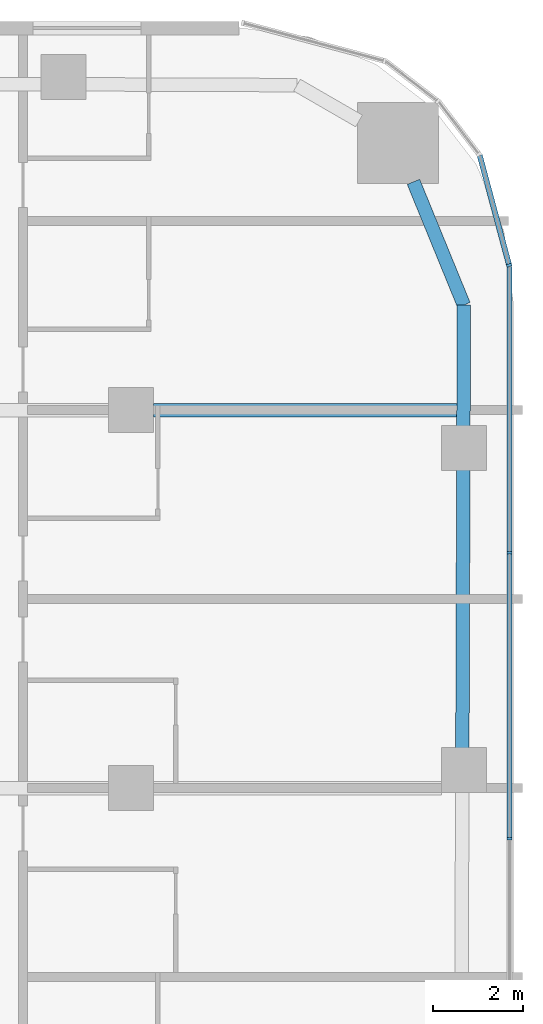
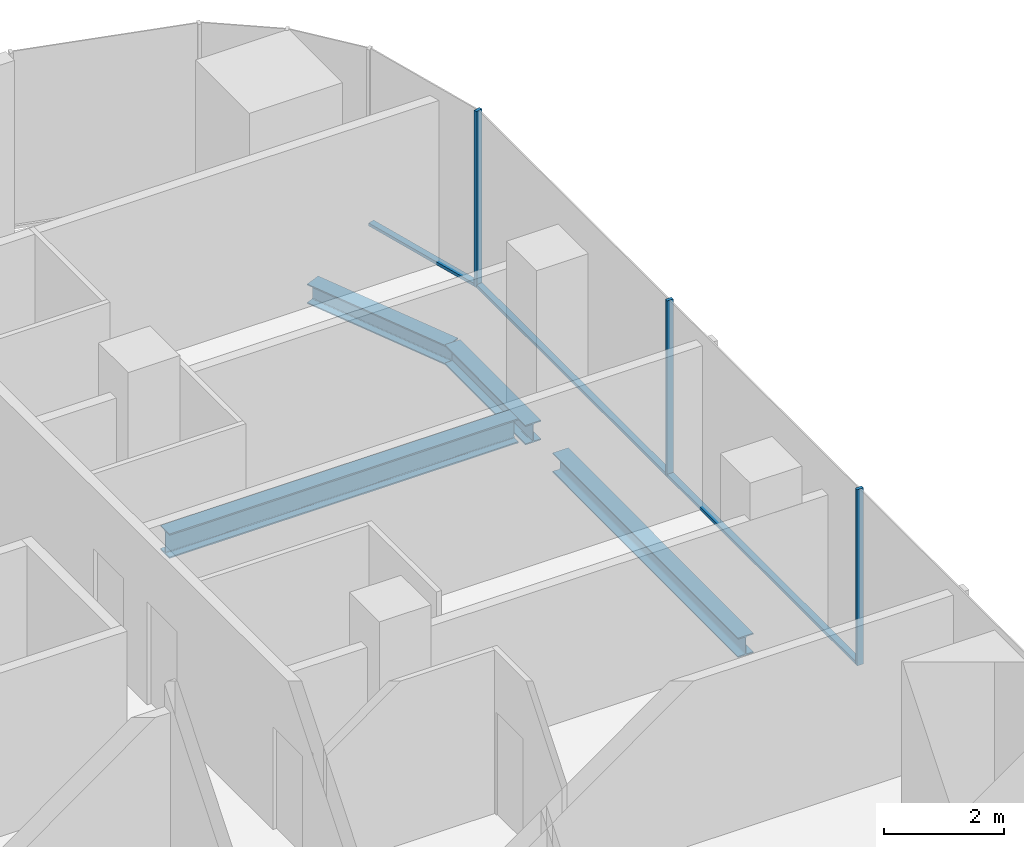
# One storey, part 12 of 26: 6 members, 4 beams, 2 elements without a shape of their own.
"""IFC4 building model written with IfcOpenShell, lengths in metres."""

from ifc_helpers import new_model, si_unit, direction, frame, origin, origin_2d, place, context, subcontext, project, spatial, rectangle, i_section, extrude, material, layer, layer_set, material_profile, profile_set, type_object, element, aggregate, save


model = new_model("IFC4")

# Units and contexts
model_context = context("Model", 3, precision=1e-05, world=origin(), true_north=direction((0.0, 1.0)))
body_context = subcontext(model_context, "Body", "Model", "MODEL_VIEW")
ifc_project = project(units=[si_unit("LENGTHUNIT", "METRE"), si_unit("AREAUNIT", "SQUARE_METRE"), si_unit("VOLUMEUNIT", "CUBIC_METRE"), si_unit("PLANEANGLEUNIT", "RADIAN"), si_unit("MASSUNIT", "GRAM", prefix="KILO")], contexts=[model_context])

# Site, building, storey
site_placement = place(None, origin())
site = spatial("IfcSite", under=ifc_project, at=site_placement, CompositionType="ELEMENT")
building_placement = place(site_placement, origin())
building = spatial("IfcBuilding", under=site, at=building_placement, Name="Marenta Gate Hotel Tower", CompositionType="ELEMENT")
storey_placement = place(building_placement, frame((0.0, 0.0, 79.699951171875)))
storey = spatial("IfcBuildingStorey", under=building, at=storey_placement, Name="L18", CompositionType="ELEMENT", Elevation=79.699951171875)

# Beams
ifc_material_1 = material(Name="Steel S355", Category="steel")
ifc_material_profile_1 = material_profile(ifc_material_1, i_section(OverallWidth=0.300048828125, OverallDepth=0.39990234375, WebThickness=0.013427734375, FlangeThickness=0.02392578125, FilletRadius=0.027099609375, at=origin_2d()), Name="HEB 400")
ifc_profile_set_1 = profile_set([ifc_material_profile_1], Name="Steel S355")
beam_type_1 = type_object("IfcBeamType", Name="Edge beam HEB 400", PredefinedType="SPANDREL", material=ifc_profile_set_1)
beam_1_placement = place(storey_placement, frame((27.280029296875, 30.2724609375, -0.4599609375), z_axis=(0.378565359962, -0.925574561144, 0.0), x_axis=(0.925574561144, 0.378565359962, 0.0)))
element("IfcBeam", 1, at=beam_1_placement, inside=storey, type_object=beam_type_1, Name="L18-EB-21", PredefinedType="SPANDREL", context=body_context, shape_type="SweptSolid", body=[
    extrude(i_section(OverallWidth=0.300048828125, OverallDepth=0.39990234375, WebThickness=0.013427734375, FlangeThickness=0.02392578125, FilletRadius=0.027099609375, at=origin_2d()), origin(), (0.0, 0.0, 1.0), 2.958251953125),
])
beam_2_placement = place(storey_placement, frame((28.39990234375, 27.534423828125, -0.4599609375), z_axis=(-0.003323434444, -0.999994477376, 0.0), x_axis=(0.999994477376, -0.003323434444, 0.0)))
element("IfcBeam", 2, at=beam_2_placement, inside=storey, type_object=beam_type_1, Name="L18-EB-22", PredefinedType="SPANDREL", context=body_context, shape_type="SweptSolid", body=[
    extrude(i_section(OverallWidth=0.300048828125, OverallDepth=0.39990234375, WebThickness=0.013427734375, FlangeThickness=0.02392578125, FilletRadius=0.027099609375, at=origin_2d()), origin(), (0.0, 0.0, 1.0), 2.718017578125),
])
beam_3_placement = place(storey_placement, frame((28.387939453125, 23.896484375, -0.4599609375), z_axis=(-0.003329137121, -0.999994458408, 0.0), x_axis=(0.999994458408, -0.003329137121, 0.0)))
element("IfcBeam", 3, at=beam_3_placement, inside=storey, type_object=beam_type_1, Name="L18-EB-23", PredefinedType="SPANDREL", context=body_context, shape_type="SweptSolid", body=[
    extrude(i_section(OverallWidth=0.300048828125, OverallDepth=0.39990234375, WebThickness=0.013427734375, FlangeThickness=0.02392578125, FilletRadius=0.027099609375, at=origin_2d()), origin(), (0.0, 0.0, 1.0), 6.2333984375),
])
ifc_material_2 = material(Name="Steel S355", Category="steel")
ifc_material_profile_2 = material_profile(ifc_material_2, i_section(OverallWidth=0.300048828125, OverallDepth=0.5, WebThickness=0.014404296875, FlangeThickness=0.028076171875, FilletRadius=0.027099609375, at=origin_2d()), Name="HEB 500")
ifc_profile_set_2 = profile_set([ifc_material_profile_2], Name="Steel S355")
beam_type_2 = type_object("IfcBeamType", Name="Girder HEB 500", PredefinedType="BEAM", material=ifc_profile_set_2)
beam_4_placement = place(storey_placement, frame((21.5, 25.199951171875, -0.510009765625), z_axis=(1.0, 0.0, 0.0), x_axis=(0.0, 1.0, 0.0)))
element("IfcBeam", 4, at=beam_4_placement, inside=storey, type_object=beam_type_2, Name="L18-GD-28", PredefinedType="BEAM", context=body_context, shape_type="SweptSolid", body=[
    extrude(i_section(OverallWidth=0.300048828125, OverallDepth=0.5, WebThickness=0.014404296875, FlangeThickness=0.028076171875, FilletRadius=0.027099609375, at=origin_2d()), origin(), (0.0, 0.0, 1.0), 6.7421875),
])

# Curtain wall, members
ifc_material_3 = material(Name="Tinted insulated glass in bronze anodised frame", Category="glass")
ifc_layer = layer(ifc_material_3, 0.1201171875)
ifc_layer_set = layer_set([ifc_layer], Name="Tinted insulated glass in bronze anodised frame")
curtain_wall_type = type_object("IfcCurtainWallType", Name="Tower unitised curtain wall CW1", PredefinedType="NOTDEFINED", material=ifc_layer_set)
curtain_wall_1_placement = place(storey_placement, origin())
curtain_wall_1 = element("IfcCurtainWall", 5, at=curtain_wall_1_placement, inside=storey, type_object=curtain_wall_type, Name="CW1 run G11", PredefinedType="NOTDEFINED")
ifc_material_4 = material(Name="Bronze anodised aluminium", Category="aluminium")
ifc_material_profile_3 = material_profile(ifc_material_4, rectangle(XDim=0.1201171875, YDim=0.06005859375, at=origin_2d()), Name="Mullion CW1 60x120 bronze anodised aluminium")
ifc_profile_set_3 = profile_set([ifc_material_profile_3], Name="Bronze anodised aluminium")
member_type_1 = type_object("IfcMemberType", Name="Mullion CW1 60x120 bronze anodised aluminium", PredefinedType="MULLION", material=ifc_profile_set_3)
member_1_placement = place(storey_placement, frame((29.4140625, 15.671875, 0.0), z_axis=(0.0, 0.0, 1.0), x_axis=(-1.0, 0.0, 0.0)))
member_1 = element("IfcMember", 6, at=member_1_placement, type_object=member_type_1, Name="CW1 mullion 5", PredefinedType="MULLION", context=body_context, shape_type="SweptSolid", body=[
    extrude(rectangle(XDim=0.1201171875, YDim=0.06005859375, at=origin_2d()), origin(), (0.0, 0.0, 1.0), 3.60009765625),
])
member_2_placement = place(storey_placement, frame((29.4140625, 22.031982421875, 0.0), z_axis=(0.0, 0.0, 1.0), x_axis=(-1.0, 0.0, 0.0)))
member_2 = element("IfcMember", 7, at=member_2_placement, type_object=member_type_1, Name="CW1 mullion 6", PredefinedType="MULLION", context=body_context, shape_type="SweptSolid", body=[
    extrude(rectangle(XDim=0.1201171875, YDim=0.06005859375, at=origin_2d()), origin(), (0.0, 0.0, 1.0), 3.60009765625),
])

# Curtain wall, member
curtain_wall_2_placement = place(storey_placement, origin())
curtain_wall_2 = element("IfcCurtainWall", 8, at=curtain_wall_2_placement, inside=storey, type_object=curtain_wall_type, Name="CW1 run G12", PredefinedType="NOTDEFINED")
member_3_placement = place(storey_placement, frame((29.40625, 28.4208984375, 0.0), z_axis=(0.0, 0.0, 1.0), x_axis=(-0.965925039579, -0.258821981125, 0.0)))
member_3 = element("IfcMember", 9, at=member_3_placement, type_object=member_type_1, Name="CW1 mullion 1", PredefinedType="MULLION", context=body_context, shape_type="SweptSolid", body=[
    extrude(rectangle(XDim=0.1201171875, YDim=0.06005859375, at=origin_2d()), origin(), (0.0, 0.0, 1.0), 3.60009765625),
])

# Member
ifc_material_5 = material(Name="Bronze anodised aluminium", Category="aluminium")
ifc_material_profile_4 = material_profile(ifc_material_5, rectangle(XDim=0.1201171875, YDim=0.06005859375, at=origin_2d()), Name="Transom CW1 60x120 bronze anodised aluminium")
ifc_profile_set_4 = profile_set([ifc_material_profile_4], Name="Bronze anodised aluminium")
member_type_2 = type_object("IfcMemberType", Name="Transom CW1 60x120 bronze anodised aluminium", PredefinedType="USERDEFINED", material=ifc_profile_set_4)
member_4_placement = place(storey_placement, frame((29.4140625, 15.701904296875, 0.030029296875), z_axis=(0.0, 1.0, 0.0), x_axis=(-1.0, 0.0, 0.0)))
member_4 = element("IfcMember", 10, at=member_4_placement, type_object=member_type_2, Name="CW1 transom 5.1", ObjectType="TRANSOM", PredefinedType="USERDEFINED", context=body_context, shape_type="SweptSolid", body=[
    extrude(rectangle(XDim=0.1201171875, YDim=0.06005859375, at=origin_2d()), origin(), (0.0, 0.0, 1.0), 6.300048828125),
])

member_5_placement = place(storey_placement, frame((29.4140625, 22.06201171875, 0.030029296875), z_axis=(0.0, 1.0, 0.0), x_axis=(-1.0, 0.0, 0.0)))
member_5 = element("IfcMember", 11, at=member_5_placement, type_object=member_type_2, Name="CW1 transom 6.1", ObjectType="TRANSOM", PredefinedType="USERDEFINED", context=body_context, shape_type="SweptSolid", body=[
    extrude(rectangle(XDim=0.1201171875, YDim=0.06005859375, at=origin_2d()), origin(), (0.0, 0.0, 1.0), 6.329833984375),
])

aggregate(curtain_wall_1, [member_1, member_2, member_4, member_5])

member_6_placement = place(storey_placement, frame((29.3984375, 28.449951171875, 0.030029296875), z_axis=(-0.258859731326, 0.96591492353, 0.0), x_axis=(-0.96591492353, -0.258859731326, 0.0)))
member_6 = element("IfcMember", 12, at=member_6_placement, type_object=member_type_2, Name="CW1 transom 1.1", ObjectType="TRANSOM", PredefinedType="USERDEFINED", context=body_context, shape_type="SweptSolid", body=[
    extrude(rectangle(XDim=0.1201171875, YDim=0.06005859375, at=origin_2d()), origin(), (0.0, 0.0, 1.0), 2.500244140625),
])

aggregate(curtain_wall_2, [member_3, member_6])

save(model, "model.ifc")
